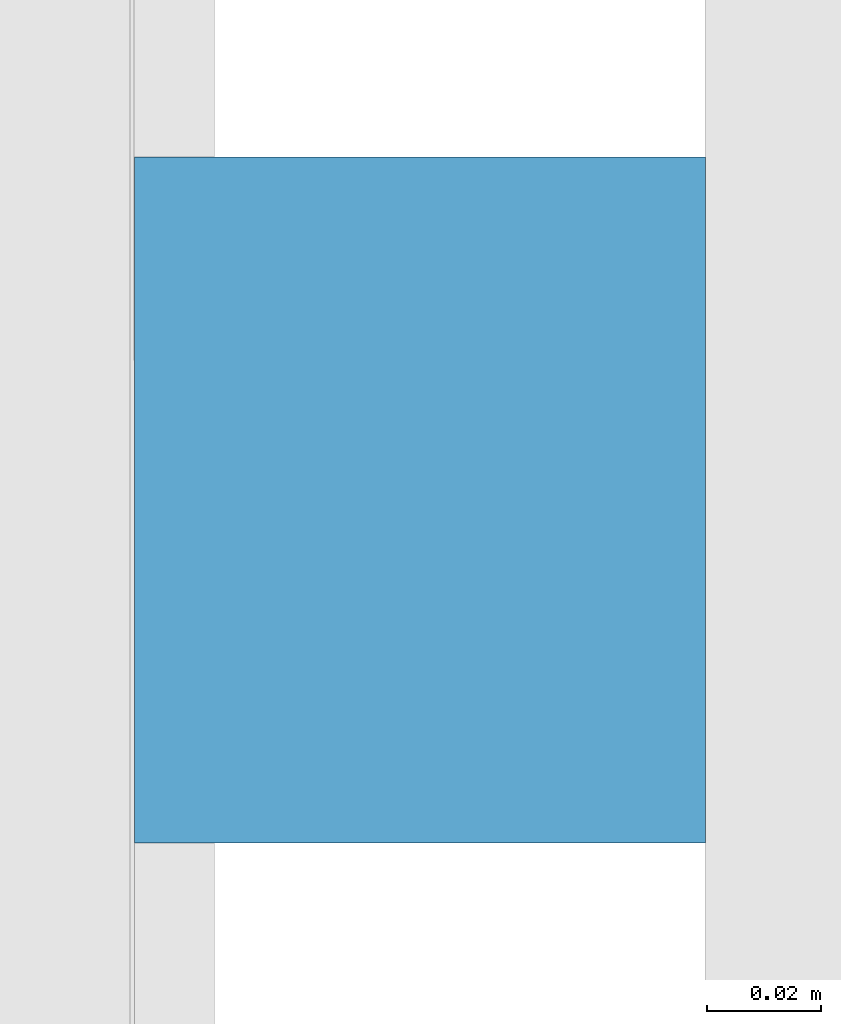
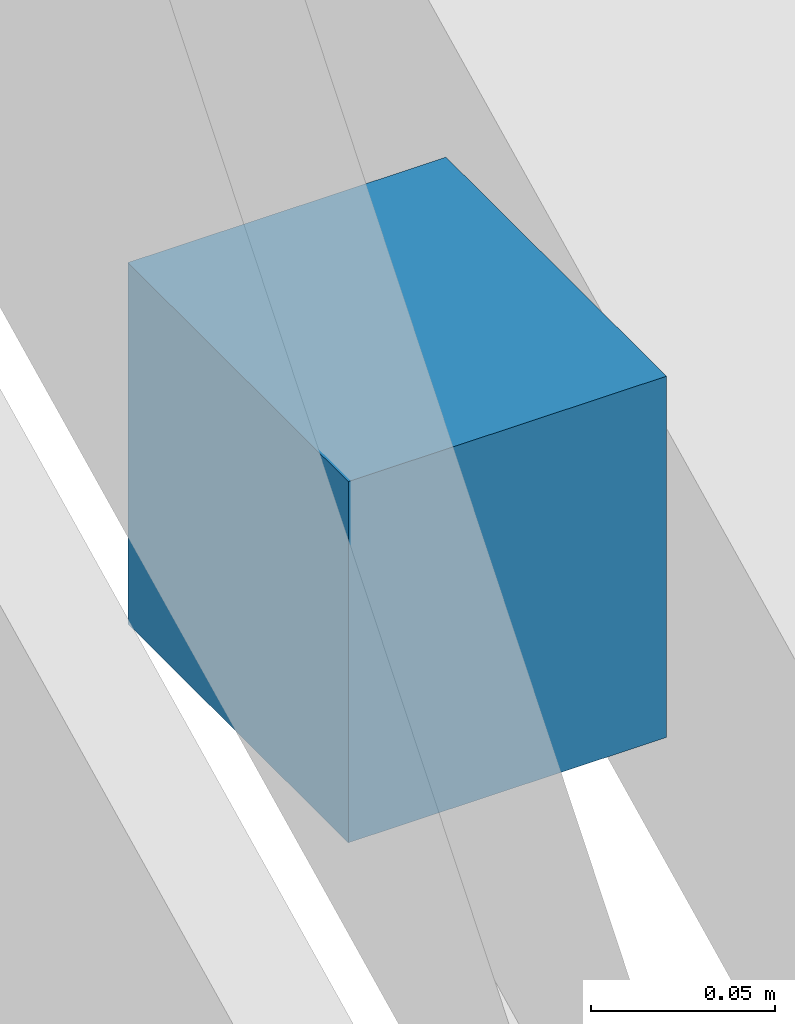
# One storey, part 21 of 22: 1 discrete accessory.
"""IFC4 building model written with IfcOpenShell, lengths in metres."""

from ifc_helpers import new_model, si_unit, direction, frame, origin, origin_2d, place, context, subcontext, project, spatial, rectangle, extrude, material, type_object, element, save


model = new_model("IFC4")

# Units and contexts
model_context = context("Model", 3, precision=1e-05, world=origin(), true_north=direction((0.0, 1.0)))
body_context = subcontext(model_context, "Body", "Model", "MODEL_VIEW")
ifc_project = project(units=[si_unit("LENGTHUNIT", "METRE"), si_unit("AREAUNIT", "SQUARE_METRE"), si_unit("VOLUMEUNIT", "CUBIC_METRE"), si_unit("PLANEANGLEUNIT", "RADIAN"), si_unit("MASSUNIT", "GRAM", prefix="KILO")], contexts=[model_context])

# Site, building, storey
site_placement = place(None, origin())
site = spatial("IfcSite", under=ifc_project, at=site_placement, CompositionType="ELEMENT")
building_placement = place(site_placement, origin())
building = spatial("IfcBuilding", under=site, at=building_placement, Name="Crosswind Convention Tower", CompositionType="ELEMENT")
storey_placement = place(building_placement, frame((0.0, 0.0, 129.5)))
storey = spatial("IfcBuildingStorey", under=building, at=storey_placement, Name="L26", CompositionType="ELEMENT", Elevation=129.5)

# Discrete accessory
ifc_material = material(Name="Stainless steel", Category="steel")
discrete_accessory_type = type_object("IfcDiscreteAccessoryType", Name="BAGUETTE BRACKET BK3", PredefinedType="BRACKET", material=ifc_material)
discrete_accessory_placement = place(storey_placement, frame((161.72607421875, 91.767578125, 1.704833984375), z_axis=(0.0, 0.0, 1.0), x_axis=(0.0, 1.0, 0.0)))
element("IfcDiscreteAccessory", 1, at=discrete_accessory_placement, inside=storey, type_object=discrete_accessory_type, Name="BK3 baguette bracket", PredefinedType="BRACKET", context=body_context, shape_type="SweptSolid", body=[
    extrude(rectangle(XDim=0.1201171875, YDim=0.10009765625, at=origin_2d()), origin(), (0.0, 0.0, 1.0), 0.1201171875),
])

save(model, "model.ifc")
